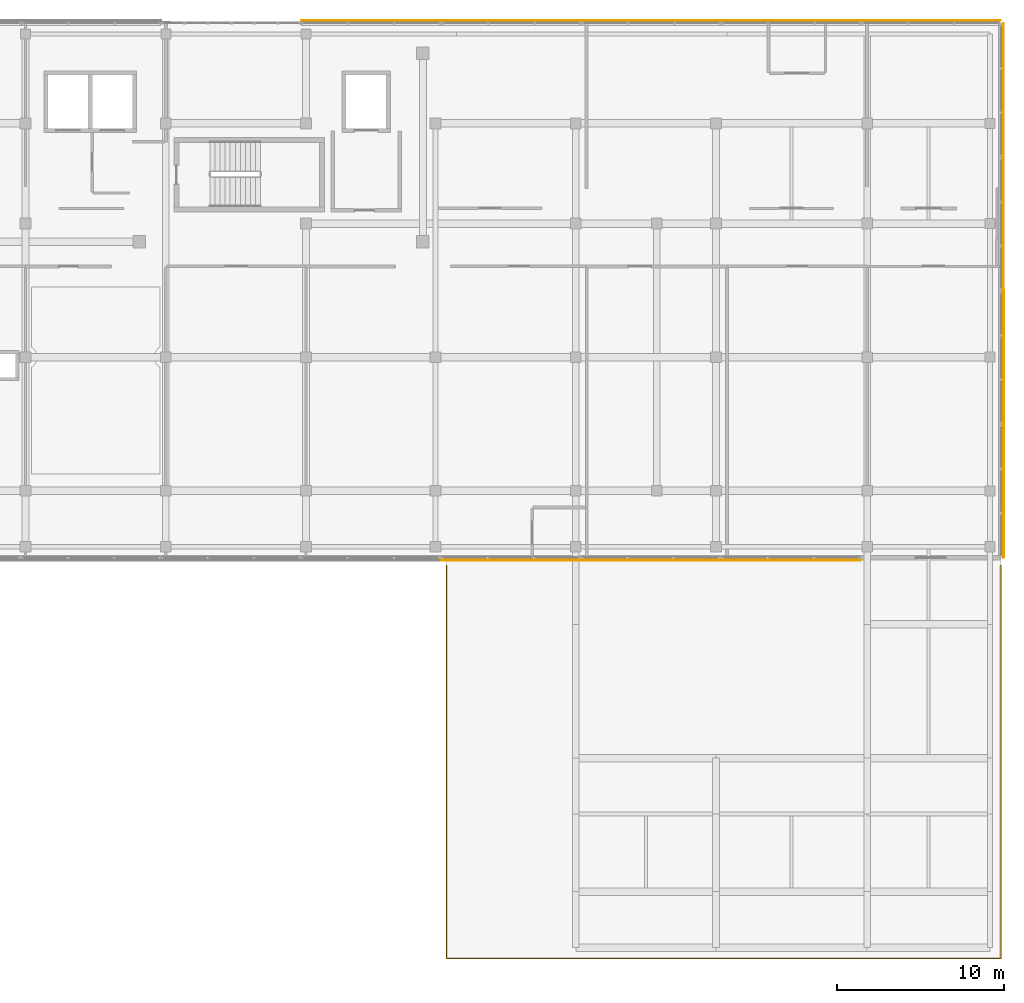
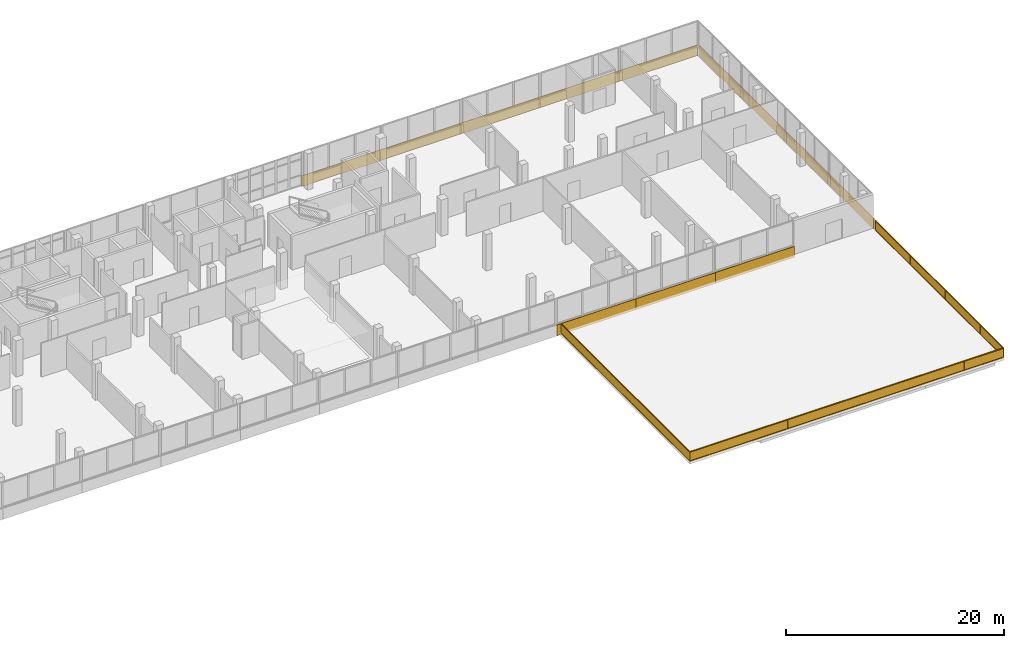
# One storey, part 76 of 76: 12 coverings, 2 railings.
"""IFC4 building model written with IfcOpenShell, lengths in metres."""

import ifcopenshell
import ifcopenshell.guid

model = None  # the IFC model being written
_history = None  # IfcOwnerHistory: only IFC2X3 demands one
_inside = {}  # id of a spatial element -> (the spatial element, [elements in it])
_under = {}  # id of a project, library or spatial element -> (it, [spatial elements below it])
_declared = {}  # id of a project -> (the project, [libraries it declares])
_typed = {}  # id of a type object -> (the type object, [elements of that type])
_made_of = {}  # id of a material, layer set ... -> (it, [elements and type objects made of it])


def new_model(schema):
    """Start an empty IFC model of exactly this schema.

    Asked for "IFC4X3", IfcOpenShell would pick the latest addendum, in which some entities
    have other attributes; the version numbers below select the first issue.
    IFC2X3 requires an IfcOwnerHistory on every rooted entity: one is made here for all.
    """
    global model, _history
    if schema == "IFC4X3":
        model = ifcopenshell.file(schema_version=(4, 3, 0, 0))
    else:
        model = ifcopenshell.file(schema=schema)
    _inside.clear()
    _under.clear()
    _declared.clear()
    _typed.clear()
    _made_of.clear()
    _history = None
    if model.schema == "IFC2X3":
        org = make("IfcOrganization", Name="unknown")
        user = make(
            "IfcPersonAndOrganization",
            ThePerson=make("IfcPerson", FamilyName="unknown"),
            TheOrganization=org,
        )
        app = make(
            "IfcApplication",
            ApplicationDeveloper=org,
            Version="unknown",
            ApplicationFullName="unknown",
            ApplicationIdentifier="unknown",
        )
        _history = make(
            "IfcOwnerHistory",
            OwningUser=user,
            OwningApplication=app,
            ChangeAction="ADDED",
            CreationDate=0,
        )
    return model


def make(cls, **values):
    """One entity of the class cls with the attributes given. An attribute that is None is left unset."""
    return model.create_entity(
        cls, **{name: value for name, value in values.items() if value is not None}
    )


def rooted(cls, **values):
    """An entity with a GlobalId (a new one), such as an element, a storey or a relation."""
    return make(cls, GlobalId=ifcopenshell.guid.new(), OwnerHistory=_history, **values)


def si_unit(unit_type, name, prefix=None):
    """IfcSIUnit, for example si_unit("LENGTHUNIT", "METRE", prefix="MILLI")."""
    return make("IfcSIUnit", UnitType=unit_type, Prefix=prefix, Name=name)


def assignment(units):
    """IfcUnitAssignment: the units of a project."""
    return None if units is None else make("IfcUnitAssignment", Units=units)


def point(xyz):
    """IfcCartesianPoint."""
    return None if xyz is None else make("IfcCartesianPoint", Coordinates=xyz)


def direction(xyz):
    """IfcDirection."""
    return None if xyz is None else make("IfcDirection", DirectionRatios=xyz)


def frame(location, z_axis=None, x_axis=None):
    """IfcAxis2Placement3D, a coordinate frame: its origin and axes. An axis left out is left unset."""
    return make(
        "IfcAxis2Placement3D",
        Location=point(location),
        Axis=direction(z_axis),
        RefDirection=direction(x_axis),
    )


def frame_2d(location, x_axis=None):
    """IfcAxis2Placement2D, a coordinate frame in the plane: its origin and x axis."""
    return make(
        "IfcAxis2Placement2D", Location=point(location), RefDirection=direction(x_axis)
    )


def origin():
    """The frame at (0, 0, 0) with its axes left unset."""
    return frame((0.0, 0.0, 0.0))


def origin_2d():
    """The frame at (0, 0) in the plane with its x axis left unset."""
    return frame_2d((0.0, 0.0))


def place(relative_to, where):
    """IfcLocalPlacement: puts the frame where relative to a parent placement (None: the world)."""
    return make(
        "IfcLocalPlacement", PlacementRelTo=relative_to, RelativePlacement=where
    )


def context(
    kind, dimensions, precision=None, world=None, true_north=None, identifier=None
):
    """IfcGeometricRepresentationContext, for example the 3D "Model" context."""
    return make(
        "IfcGeometricRepresentationContext",
        ContextIdentifier=identifier,
        ContextType=kind,
        CoordinateSpaceDimension=dimensions,
        Precision=precision,
        WorldCoordinateSystem=world,
        TrueNorth=true_north,
    )


def subcontext(parent, identifier, kind, view, scale=None):
    """IfcGeometricRepresentationSubContext, for example "Body" below "Model"."""
    return make(
        "IfcGeometricRepresentationSubContext",
        ContextIdentifier=identifier,
        ContextType=kind,
        ParentContext=parent,
        TargetScale=scale,
        TargetView=view,
    )


def project(units=None, contexts=None):
    """IfcProject with its units and contexts."""
    return rooted(
        "IfcProject",
        Name="project",
        RepresentationContexts=contexts,
        UnitsInContext=assignment(units),
    )


def spatial(cls, under=None, at=None, **own):
    """A site, building, storey or space (cls), placed at a placement, below another one or the project."""
    s = rooted(cls, ObjectPlacement=at, **own)
    if under is not None:
        _under.setdefault(under.id(), (under, []))[1].append(s)
    return s


def polyline(points):
    """IfcPolyline through the points."""
    return make("IfcPolyline", Points=[point(p) for p in points])


def profile(cls, at=None, kind="AREA", **sizes):
    """A parametric profile (cls). Its sizes go by their IFC names, for example OverallWidth=200.0."""
    return make(cls, ProfileType=kind, Position=at, **sizes)


def rectangle(**sizes):
    """IfcRectangleProfileDef."""
    return profile("IfcRectangleProfileDef", **sizes)


def outline(outer, holes=None, kind="AREA"):
    """IfcArbitraryClosedProfileDef: a profile drawn as a closed curve; with holes, ...WithVoids."""
    if holes is None:
        return make("IfcArbitraryClosedProfileDef", ProfileType=kind, OuterCurve=outer)
    return make(
        "IfcArbitraryProfileDefWithVoids",
        ProfileType=kind,
        OuterCurve=outer,
        InnerCurves=holes,
    )


def extrude(swept, where, along, depth):
    """IfcExtrudedAreaSolid: the profile swept, set in the frame where, extruded along a direction by depth."""
    return make(
        "IfcExtrudedAreaSolid",
        SweptArea=swept,
        Position=where,
        ExtrudedDirection=direction(along),
        Depth=depth,
    )


def shape(context_of_items, identifier, shape_type, items):
    """IfcShapeRepresentation: the items that make up one representation, for example the "Body"."""
    return make(
        "IfcShapeRepresentation",
        ContextOfItems=context_of_items,
        RepresentationIdentifier=identifier,
        RepresentationType=shape_type,
        Items=items,
    )


def material(Name=None, Category=None):
    """IfcMaterial."""
    return make("IfcMaterial", Name=Name, Category=Category)


def layer(
    of_material, thickness, ventilated=None, Name=None, Category=None, Priority=None
):
    """IfcMaterialLayer: one layer of a wall or slab, of a material (None: an air gap)."""
    return make(
        "IfcMaterialLayer",
        Material=of_material,
        LayerThickness=thickness,
        IsVentilated=ventilated,
        Name=Name,
        Category=Category,
        Priority=Priority,
    )


def layer_set(layers, Name=None):
    """IfcMaterialLayerSet."""
    return make("IfcMaterialLayerSet", MaterialLayers=layers, LayerSetName=Name)


def made_of(thing, what):
    """Note that an element or type object is made of a material, layer set ...; save() writes the relation."""
    if what is not None:
        _made_of.setdefault(what.id(), (what, []))[1].append(thing)
    return thing


def type_object(cls, material=None, **own):
    """A type object (cls), such as IfcWallType, which elements share."""
    return made_of(rooted(cls, **own), material)


def element(
    cls,
    number,
    at=None,
    inside=None,
    cuts=None,
    type_object=None,
    material=None,
    context=None,
    identifier="Body",
    shape_type=None,
    held_by="IfcProductDefinitionShape",
    body=None,
    shapes=None,
    **own,
):
    """One element of the class cls, such as IfcWall. Its Tag is "e" and its number.

    at: its placement. inside: the storey or other place that contains it. cuts: it is an
    opening in that element (IfcRelVoidsElement). A single representation is given by context,
    identifier, shape_type and body (its items); several are given by shapes. held_by: the class
    of the entity that holds the representations. save() writes the other relations.
    """
    e = rooted(cls, Tag="e%d" % number, ObjectPlacement=at, **own)
    if body is not None:
        shapes = [shape(context, identifier, shape_type, body)]
    if shapes is not None:
        e.Representation = make(held_by, Representations=shapes)
    if inside is not None:
        _inside.setdefault(inside.id(), (inside, []))[1].append(e)
    if cuts is not None:
        rooted(
            "IfcRelVoidsElement", RelatingBuildingElement=cuts, RelatedOpeningElement=e
        )
    if type_object is not None:
        _typed.setdefault(type_object.id(), (type_object, []))[1].append(e)
    return made_of(e, material)


def aggregate(whole, parts):
    """IfcRelAggregates: a whole, such as a stair, and the parts it consists of."""
    return rooted("IfcRelAggregates", RelatingObject=whole, RelatedObjects=parts)


def save(model, path):
    """Write the relations noted so far, then the file.

    IfcRelAggregates (storeys below a building ...), IfcRelContainedInSpatialStructure (elements
    in a storey), IfcRelDefinesByType, IfcRelAssociatesMaterial and IfcRelDeclares: one each for
    every whole, place, type object, material and project.
    """
    for whole, parts in _under.values():
        aggregate(whole, parts)
    for where, things in _inside.values():
        rooted(
            "IfcRelContainedInSpatialStructure",
            RelatedElements=things,
            RelatingStructure=where,
        )
    for kind, things in _typed.values():
        rooted("IfcRelDefinesByType", RelatedObjects=things, RelatingType=kind)
    for what, things in _made_of.values():
        rooted("IfcRelAssociatesMaterial", RelatedObjects=things, RelatingMaterial=what)
    for by, libraries in _declared.values():
        rooted("IfcRelDeclares", RelatingContext=by, RelatedDefinitions=libraries)
    model.write(path)


model = new_model("IFC4")

# Units and contexts
model_context = context("Model", 3, precision=1e-05, world=origin(), true_north=direction((0.0, 1.0)))
body_context = subcontext(model_context, "Body", "Model", "MODEL_VIEW")
ifc_project = project(units=[si_unit("LENGTHUNIT", "METRE"), si_unit("AREAUNIT", "SQUARE_METRE"), si_unit("VOLUMEUNIT", "CUBIC_METRE"), si_unit("PLANEANGLEUNIT", "RADIAN"), si_unit("MASSUNIT", "GRAM", prefix="KILO")], contexts=[model_context])

# Site, building, storey
site_placement = place(None, origin())
site = spatial("IfcSite", under=ifc_project, at=site_placement, CompositionType="ELEMENT")
building_placement = place(site_placement, origin())
building = spatial("IfcBuilding", under=site, at=building_placement, Name="Selatvlak General Hospital", CompositionType="ELEMENT")
storey_placement = place(building_placement, frame((0.0, 0.0, 27.300048828125)))
storey = spatial("IfcBuildingStorey", under=building, at=storey_placement, Name="L06", CompositionType="ELEMENT", Elevation=27.300048828125)

# Coverings
ifc_material_1 = material(Name="White Bauhaus fair-faced cladding panel")
ifc_layer = layer(ifc_material_1, 0.054931640625, Name="White Bauhaus fair-faced cladding panel")
ifc_layer_set = layer_set([ifc_layer], Name="White Bauhaus fair-faced cladding panel")
covering_type = type_object("IfcCoveringType", Name="COV-WHT1", PredefinedType="CLADDING", material=ifc_layer_set)
covering_1_placement = place(storey_placement, frame((144.2939453125, 120.1650390625, -0.2802734375), z_axis=(0.0, 0.0, 1.0), x_axis=(1.0, 0.0, 0.0)))
element("IfcCovering", 1, at=covering_1_placement, inside=storey, type_object=covering_type, Name="L06 Bauhaus horizontal white spandrel band 0466", PredefinedType="CLADDING", context=body_context, shape_type="SweptSolid", body=[
    extrude(rectangle(XDim=8.3779296875, YDim=0.054931640625, at=origin_2d()), origin(), (0.0, 0.0, 1.0), 1.219970703125),
])
for number, where, z_axis, x_axis, name in (
    (2, (152.673095703125, 120.1650390625, -0.2802734375), (0.0, 0.0, 1.0), (1.0, 0.0, 0.0), "L06 Bauhaus horizontal white spandrel band 0467"),
    (3, (161.052001953125, 120.1650390625, -0.2802734375), (0.0, 0.0, 1.0), (1.0, 0.0, 0.0), "L06 Bauhaus horizontal white spandrel band 0468"),
    (4, (169.429931640625, 120.1650390625, -0.2802734375), (0.0, 0.0, 1.0), (1.0, 0.0, 0.0), "L06 Bauhaus horizontal white spandrel band 0469"),
    (5, (177.81005859375, 120.1650390625, -0.2802734375), (0.0, 0.0, 1.0), (1.0, 0.0, 0.0), "L06 Bauhaus horizontal white spandrel band 0470"),
):
    element("IfcCovering", number, at=place(storey_placement, frame(where, z_axis=z_axis, x_axis=x_axis)), inside=storey, type_object=covering_type, Name=name, PredefinedType="CLADDING", context=body_context, shape_type="SweptSolid", body=[
        extrude(rectangle(XDim=8.37890625, YDim=0.054931640625, at=origin_2d()), origin(), (0.0, 0.0, 1.0), 1.219970703125),
    ])
covering_2_placement = place(storey_placement, frame((182.1640625, 116.0, -0.2802734375), z_axis=(0.0, 0.0, 1.0), x_axis=(0.0, -1.0, 0.0)))
element("IfcCovering", 6, at=covering_2_placement, inside=storey, type_object=covering_type, Name="L06 Bauhaus horizontal white spandrel band 0471", PredefinedType="CLADDING", context=body_context, shape_type="SweptSolid", body=[
    extrude(rectangle(XDim=8.0, YDim=0.054931640625, at=origin_2d()), origin(), (0.0, 0.0, 1.0), 1.219970703125),
])
covering_3_placement = place(storey_placement, frame((182.1640625, 108.0009765625, -0.2802734375), z_axis=(0.0, 0.0, 1.0), x_axis=(0.000122173047, -0.999999992537, 0.0)))
element("IfcCovering", 7, at=covering_3_placement, inside=storey, type_object=covering_type, Name="L06 Bauhaus horizontal white spandrel band 0472", PredefinedType="CLADDING", context=body_context, shape_type="SweptSolid", body=[
    extrude(rectangle(XDim=7.9990234375, YDim=0.054931640625, at=origin_2d()), origin(), (0.0, 0.0, 1.0), 1.219970703125),
])
for number, where, z_axis, x_axis, name in (
    (8, (182.1650390625, 100.0009765625, -0.2802734375), (0.0, 0.0, 1.0), (0.0, -1.0, 0.0), "L06 Bauhaus horizontal white spandrel band 0473"),
    (9, (182.1650390625, 92.0009765625, -0.2802734375), (0.0, 0.0, 1.0), (0.0, -1.0, 0.0), "L06 Bauhaus horizontal white spandrel band 0474"),
):
    element("IfcCovering", number, at=place(storey_placement, frame(where, z_axis=z_axis, x_axis=x_axis)), inside=storey, type_object=covering_type, Name=name, PredefinedType="CLADDING", context=body_context, shape_type="SweptSolid", body=[
        extrude(rectangle(XDim=8.0, YDim=0.054931640625, at=origin_2d()), origin(), (0.0, 0.0, 1.0), 1.219970703125),
    ])
for number, where, z_axis, x_axis, name in (
    (10, (169.430908203125, 87.8359375, -0.2802734375), (0.0, 0.0, 1.0), (-1.0, 0.0, 0.0), "L06 Bauhaus horizontal white spandrel band 0475"),
    (11, (161.052978515625, 87.8359375, -0.2802734375), (0.0, 0.0, 1.0), (-1.0, 0.0, 0.0), "L06 Bauhaus horizontal white spandrel band 0476"),
    (12, (152.673095703125, 87.8359375, -0.2802734375), (0.0, 0.0, 1.0), (-1.0, 0.0, 0.0), "L06 Bauhaus horizontal white spandrel band 0477"),
):
    element("IfcCovering", number, at=place(storey_placement, frame(where, z_axis=z_axis, x_axis=x_axis)), inside=storey, type_object=covering_type, Name=name, PredefinedType="CLADDING", context=body_context, shape_type="SweptSolid", body=[
        extrude(rectangle(XDim=8.37890625, YDim=0.054931640625, at=origin_2d()), origin(), (0.0, 0.0, 1.0), 1.219970703125),
    ])

# Railings
ifc_material_2 = material(Name="Stainless steel 316 safety balustrade", Category="steel")
railing_type = type_object("IfcRailingType", Name="RAIL-BAL1", PredefinedType="BALUSTRADE", material=ifc_material_2)
railing_1_placement = place(storey_placement, frame((182.0, 64.0, 0.0)))
element("IfcRailing", 13, at=railing_1_placement, inside=storey, type_object=railing_type, Name="L06 continuous terrace guardrail 0033", PredefinedType="BALUSTRADE", context=body_context, shape_type="SweptSolid", body=[
    extrude(rectangle(XDim=0.068115234375, YDim=0.068115234375, at=origin_2d()), frame((-0.0029296875, 0.0, 1.0859375), z_axis=(-1.0, 0.0, 0.0), x_axis=(0.0, -1.0, 0.0)), (0.0, 0.0, 1.0), 33.194091796875),
    extrude(rectangle(XDim=0.068115234375, YDim=0.068115234375, at=origin_2d()), frame((-0.0029296875, 0.0, 0.049072265625), z_axis=(-1.0, 0.0, 0.0), x_axis=(0.0, -1.0, 0.0)), (0.0, 0.0, 1.0), 33.194091796875),
    extrude(outline(polyline([(0.0, 0.0), (33.18798828125, 0.0), (33.18798828125, 0.94189453125), (0.0, 0.94189453125), (0.0, 0.0)])), frame((-0.006103515625, -0.01806640625, 0.0849609375), z_axis=(0.0, 1.0, 0.0), x_axis=(-1.0, 0.0, 0.0)), (0.0, 0.0, 1.0), 0.031982421875),
    extrude(rectangle(XDim=0.068115234375, YDim=0.068115234375, at=origin_2d()), frame((-33.199951171875, 0.0029296875, 1.0859375), z_axis=(0.0, 1.0, 0.0), x_axis=(-1.0, 0.0, 0.0)), (0.0, 0.0, 1.0), 23.51513671875),
    extrude(rectangle(XDim=0.068115234375, YDim=0.068115234375, at=origin_2d()), frame((-33.199951171875, 0.0029296875, 0.049072265625), z_axis=(0.0, 1.0, 0.0), x_axis=(-1.0, 0.0, 0.0)), (0.0, 0.0, 1.0), 23.51513671875),
    extrude(outline(polyline([(0.0, 0.0), (23.509033203125, 0.0), (23.509033203125, 0.94189453125), (0.0, 0.94189453125), (0.0, 0.0)])), frame((-33.218017578125, 0.006103515625, 0.0849609375), z_axis=(1.0, 0.0, 0.0), x_axis=(0.0, 1.0, 0.0)), (0.0, 0.0, 1.0), 0.031982421875),
    extrude(rectangle(XDim=0.055908203125, YDim=0.055908203125, at=origin_2d()), origin(), (0.0, 0.0, 1.0), 1.049072265625),
    extrude(rectangle(XDim=0.055908203125, YDim=0.055908203125, at=origin_2d()), frame((-2.074951171875, 0.0, 0.0)), (0.0, 0.0, 1.0), 1.049072265625),
    extrude(rectangle(XDim=0.055908203125, YDim=0.055908203125, at=origin_2d()), frame((-4.14990234375, 0.0, 0.0)), (0.0, 0.0, 1.0), 1.049072265625),
    extrude(rectangle(XDim=0.055908203125, YDim=0.055908203125, at=origin_2d()), frame((-6.22509765625, 0.0, 0.0)), (0.0, 0.0, 1.0), 1.049072265625),
    extrude(rectangle(XDim=0.055908203125, YDim=0.055908203125, at=origin_2d()), frame((-8.300048828125, 0.0, 0.0)), (0.0, 0.0, 1.0), 1.049072265625),
    extrude(rectangle(XDim=0.055908203125, YDim=0.055908203125, at=origin_2d()), frame((-10.375, 0.0, 0.0)), (0.0, 0.0, 1.0), 1.049072265625),
    extrude(rectangle(XDim=0.055908203125, YDim=0.055908203125, at=origin_2d()), frame((-12.449951171875, 0.0, 0.0)), (0.0, 0.0, 1.0), 1.049072265625),
    extrude(rectangle(XDim=0.055908203125, YDim=0.055908203125, at=origin_2d()), frame((-14.52490234375, 0.0, 0.0)), (0.0, 0.0, 1.0), 1.049072265625),
    extrude(rectangle(XDim=0.055908203125, YDim=0.055908203125, at=origin_2d()), frame((-16.60009765625, 0.0, 0.0)), (0.0, 0.0, 1.0), 1.049072265625),
    extrude(rectangle(XDim=0.055908203125, YDim=0.055908203125, at=origin_2d()), frame((-18.675048828125, 0.0, 0.0)), (0.0, 0.0, 1.0), 1.049072265625),
    extrude(rectangle(XDim=0.055908203125, YDim=0.055908203125, at=origin_2d()), frame((-20.75, 0.0, 0.0)), (0.0, 0.0, 1.0), 1.049072265625),
    extrude(rectangle(XDim=0.055908203125, YDim=0.055908203125, at=origin_2d()), frame((-22.824951171875, 0.0, 0.0)), (0.0, 0.0, 1.0), 1.049072265625),
    extrude(rectangle(XDim=0.055908203125, YDim=0.055908203125, at=origin_2d()), frame((-24.89990234375, 0.0, 0.0)), (0.0, 0.0, 1.0), 1.049072265625),
    extrude(rectangle(XDim=0.055908203125, YDim=0.055908203125, at=origin_2d()), frame((-26.974853515625, 0.0, 0.0)), (0.0, 0.0, 1.0), 1.049072265625),
    extrude(rectangle(XDim=0.055908203125, YDim=0.055908203125, at=origin_2d()), frame((-29.050048828125, 0.0, 0.0)), (0.0, 0.0, 1.0), 1.049072265625),
    extrude(rectangle(XDim=0.055908203125, YDim=0.055908203125, at=origin_2d()), frame((-31.125, 0.0, 0.0)), (0.0, 0.0, 1.0), 1.049072265625),
    extrude(rectangle(XDim=0.055908203125, YDim=0.055908203125, at=origin_2d()), frame((-33.199951171875, 0.0, 0.0)), (0.0, 0.0, 1.0), 1.049072265625),
    extrude(rectangle(XDim=0.055908203125, YDim=0.055908203125, at=origin_2d()), frame((-33.199951171875, 2.13818359375, 0.0)), (0.0, 0.0, 1.0), 1.049072265625),
    extrude(rectangle(XDim=0.055908203125, YDim=0.055908203125, at=origin_2d()), frame((-33.199951171875, 4.276611328125, 0.0)), (0.0, 0.0, 1.0), 1.049072265625),
    extrude(rectangle(XDim=0.055908203125, YDim=0.055908203125, at=origin_2d()), frame((-33.199951171875, 6.414794921875, 0.0)), (0.0, 0.0, 1.0), 1.049072265625),
    extrude(rectangle(XDim=0.055908203125, YDim=0.055908203125, at=origin_2d()), frame((-33.199951171875, 8.552978515625, 0.0)), (0.0, 0.0, 1.0), 1.049072265625),
    extrude(rectangle(XDim=0.055908203125, YDim=0.055908203125, at=origin_2d()), frame((-33.199951171875, 10.69140625, 0.0)), (0.0, 0.0, 1.0), 1.049072265625),
    extrude(rectangle(XDim=0.055908203125, YDim=0.055908203125, at=origin_2d()), frame((-33.199951171875, 12.82958984375, 0.0)), (0.0, 0.0, 1.0), 1.049072265625),
    extrude(rectangle(XDim=0.055908203125, YDim=0.055908203125, at=origin_2d()), frame((-33.199951171875, 14.968017578125, 0.0)), (0.0, 0.0, 1.0), 1.049072265625),
    extrude(rectangle(XDim=0.055908203125, YDim=0.055908203125, at=origin_2d()), frame((-33.199951171875, 17.106201171875, 0.0)), (0.0, 0.0, 1.0), 1.049072265625),
    extrude(rectangle(XDim=0.055908203125, YDim=0.055908203125, at=origin_2d()), frame((-33.199951171875, 19.244384765625, 0.0)), (0.0, 0.0, 1.0), 1.049072265625),
    extrude(rectangle(XDim=0.055908203125, YDim=0.055908203125, at=origin_2d()), frame((-33.199951171875, 21.3828125, 0.0)), (0.0, 0.0, 1.0), 1.049072265625),
    extrude(rectangle(XDim=0.055908203125, YDim=0.055908203125, at=origin_2d()), frame((-33.199951171875, 23.52099609375, 0.0)), (0.0, 0.0, 1.0), 1.049072265625),
])
railing_2_placement = place(storey_placement, frame((182.0, 87.52099609375, 0.0)))
element("IfcRailing", 14, at=railing_2_placement, inside=storey, type_object=railing_type, Name="L06 continuous terrace guardrail 0034", PredefinedType="BALUSTRADE", context=body_context, shape_type="SweptSolid", body=[
    extrude(rectangle(XDim=0.068115234375, YDim=0.068115234375, at=origin_2d()), frame((0.0, -0.0029296875, 1.0859375), z_axis=(0.0, -1.0, 0.0), x_axis=(1.0, 0.0, 0.0)), (0.0, 0.0, 1.0), 23.51513671875),
    extrude(rectangle(XDim=0.068115234375, YDim=0.068115234375, at=origin_2d()), frame((0.0, -0.0029296875, 0.049072265625), z_axis=(0.0, -1.0, 0.0), x_axis=(1.0, 0.0, 0.0)), (0.0, 0.0, 1.0), 23.51513671875),
    extrude(outline(polyline([(0.0, 0.0), (23.509033203125, 0.0), (23.509033203125, 0.94189453125), (0.0, 0.94189453125), (0.0, 0.0)])), frame((0.01806640625, -0.006103515625, 0.0849609375), z_axis=(-1.0, 0.0, 0.0), x_axis=(0.0, -1.0, 0.0)), (0.0, 0.0, 1.0), 0.031982421875),
    extrude(rectangle(XDim=0.055908203125, YDim=0.055908203125, at=origin_2d()), origin(), (0.0, 0.0, 1.0), 1.049072265625),
    extrude(rectangle(XDim=0.055908203125, YDim=0.055908203125, at=origin_2d()), frame((0.0, -2.13818359375, 0.0)), (0.0, 0.0, 1.0), 1.049072265625),
    extrude(rectangle(XDim=0.055908203125, YDim=0.055908203125, at=origin_2d()), frame((0.0, -4.276611328125, 0.0)), (0.0, 0.0, 1.0), 1.049072265625),
    extrude(rectangle(XDim=0.055908203125, YDim=0.055908203125, at=origin_2d()), frame((0.0, -6.414794921875, 0.0)), (0.0, 0.0, 1.0), 1.049072265625),
    extrude(rectangle(XDim=0.055908203125, YDim=0.055908203125, at=origin_2d()), frame((0.0, -8.552978515625, 0.0)), (0.0, 0.0, 1.0), 1.049072265625),
    extrude(rectangle(XDim=0.055908203125, YDim=0.055908203125, at=origin_2d()), frame((0.0, -10.69140625, 0.0)), (0.0, 0.0, 1.0), 1.049072265625),
    extrude(rectangle(XDim=0.055908203125, YDim=0.055908203125, at=origin_2d()), frame((0.0, -12.82958984375, 0.0)), (0.0, 0.0, 1.0), 1.049072265625),
    extrude(rectangle(XDim=0.055908203125, YDim=0.055908203125, at=origin_2d()), frame((0.0, -14.968017578125, 0.0)), (0.0, 0.0, 1.0), 1.049072265625),
    extrude(rectangle(XDim=0.055908203125, YDim=0.055908203125, at=origin_2d()), frame((0.0, -17.106201171875, 0.0)), (0.0, 0.0, 1.0), 1.049072265625),
    extrude(rectangle(XDim=0.055908203125, YDim=0.055908203125, at=origin_2d()), frame((0.0, -19.244384765625, 0.0)), (0.0, 0.0, 1.0), 1.049072265625),
    extrude(rectangle(XDim=0.055908203125, YDim=0.055908203125, at=origin_2d()), frame((0.0, -21.3828125, 0.0)), (0.0, 0.0, 1.0), 1.049072265625),
    extrude(rectangle(XDim=0.055908203125, YDim=0.055908203125, at=origin_2d()), frame((0.0, -23.52099609375, 0.0)), (0.0, 0.0, 1.0), 1.049072265625),
])

save(model, "model.ifc")
